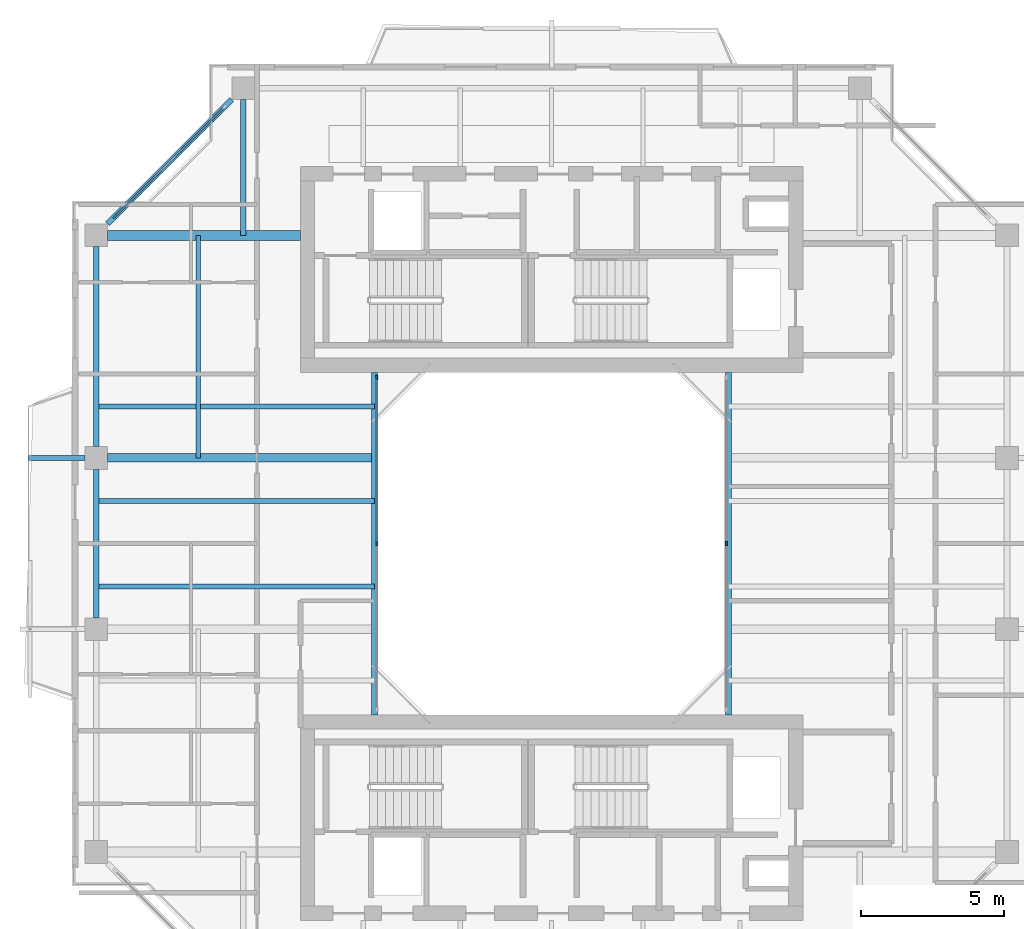
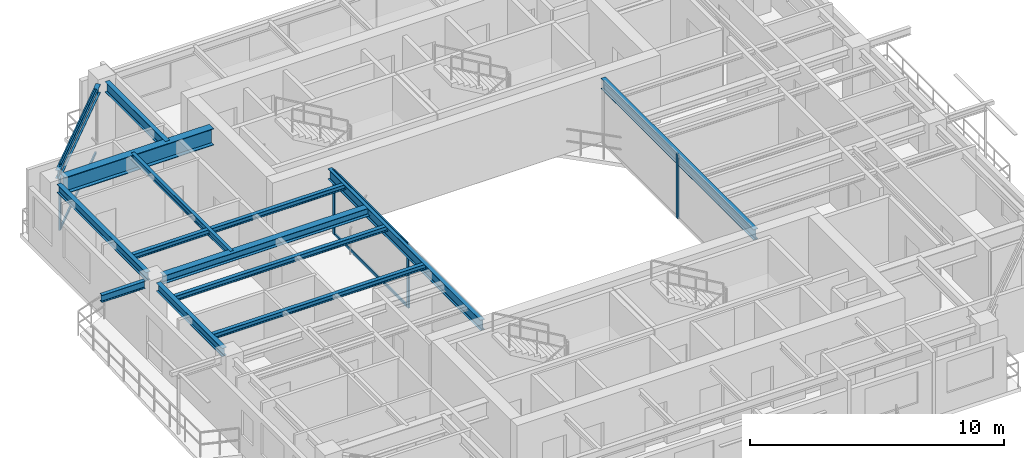
# One storey, part 5 of 16: 13 beams, 8 members, 3 elements without a shape of their own.
"""IFC4 building model written with IfcOpenShell, lengths in metres."""

from ifc_helpers import new_model, si_unit, direction, frame, origin, origin_2d, place, context, subcontext, project, spatial, rectangle, i_section, extrude, source, transform, mapped, material, layer, layer_set, material_profile, profile_set, type_object, element, aggregate, save


model = new_model("IFC4")

# Units and contexts
model_context = context("Model", 3, precision=1e-05, world=origin(), true_north=direction((0.0, 1.0)))
body_context = subcontext(model_context, "Body", "Model", "MODEL_VIEW")
ifc_project = project(units=[si_unit("LENGTHUNIT", "METRE"), si_unit("AREAUNIT", "SQUARE_METRE"), si_unit("VOLUMEUNIT", "CUBIC_METRE"), si_unit("PLANEANGLEUNIT", "RADIAN"), si_unit("MASSUNIT", "GRAM", prefix="KILO"), si_unit("THERMODYNAMICTEMPERATUREUNIT", "KELVIN"), si_unit("POWERUNIT", "WATT")], contexts=[model_context])

# Site, building, storey
site_placement = place(None, origin())
site = spatial("IfcSite", under=ifc_project, at=site_placement, CompositionType="ELEMENT")
building_placement = place(site_placement, origin())
building = spatial("IfcBuilding", under=site, at=building_placement, Name="Qiaomeng Ring Towers", CompositionType="ELEMENT")
storey_placement = place(building_placement, frame((0.0, 0.0, 210.0)))
storey = spatial("IfcBuildingStorey", under=building, at=storey_placement, Name="L61", CompositionType="ELEMENT", Elevation=210.0)

# Beams
ifc_material_1 = material(Name="Steel Q355B", Category="steel")
ifc_material_profile_1 = material_profile(ifc_material_1, i_section(OverallWidth=0.199951171875, OverallDepth=0.5, WebThickness=0.010009765625, FlangeThickness=0.01611328125, FilletRadius=0.02001953125, at=origin_2d()), Name="HN 500x200x10x16")
ifc_profile_set_1 = profile_set([ifc_material_profile_1], Name="Steel Q355B")
beam_type_1 = type_object("IfcBeamType", Name="STR-BM-HN500", PredefinedType="BEAM", material=ifc_profile_set_1)
shared_shape_1 = source(origin(), body_context, "Body", "SweptSolid", [
    extrude(i_section(OverallWidth=0.199951171875, OverallDepth=0.5, WebThickness=0.010009765625, FlangeThickness=0.01611328125, FilletRadius=0.02001953125, at=origin_2d()), origin(), (0.0, 0.0, 1.0), 12.0),
])
for number, where, z_axis, x_axis, name in (
    (1, (12.800048828125, 17.0, 2.820068359375), (0.0, 1.0, 0.0), (-1.0, 0.0, 0.0), "L61 beam STR-BM-L61-WELL-W"),
    (2, (25.199951171875, 17.0, 2.820068359375), (0.0, 1.0, 0.0), (-1.0, 0.0, 0.0), "L61 beam STR-BM-L61-WELL-E"),
):
    element("IfcBeam", number, at=place(storey_placement, frame(where, z_axis=z_axis, x_axis=x_axis)), inside=storey, type_object=beam_type_1, Name=name, PredefinedType="BEAM", context=body_context, shape_type="MappedRepresentation", body=[
        mapped(shared_shape_1, transform((0.0, 0.0, 0.0), x_axis=(1.0, 0.0, 0.0), y_axis=(0.0, 1.0, 0.0), z_axis=(0.0, 0.0, 1.0), scale=1.0)),
    ])
ifc_material_profile_2 = material_profile(ifc_material_1, i_section(OverallWidth=0.198974609375, OverallDepth=0.39599609375, WebThickness=0.007080078125, FlangeThickness=0.010986328125, FilletRadius=0.01611328125, at=origin_2d()), Name="HN 396x199x7x11")
ifc_profile_set_2 = profile_set([ifc_material_profile_2], Name="Steel Q355B")
beam_type_2 = type_object("IfcBeamType", Name="STR-BM-HN396", PredefinedType="SPANDREL", material=ifc_profile_set_2)
shared_shape_2 = source(origin(), body_context, "Body", "SweptSolid", [
    extrude(i_section(OverallWidth=0.198974609375, OverallDepth=0.39599609375, WebThickness=0.007080078125, FlangeThickness=0.010986328125, FilletRadius=0.01611328125, at=origin_2d()), origin(), (0.0, 0.0, 1.0), 6.154052734375),
])
beam_1_placement = place(storey_placement, frame((7.80078125, 38.55078125, 2.8720703125), z_axis=(-0.707106781187, -0.707106781187, 0.0), x_axis=(0.707106781187, -0.707106781187, 0.0)))
element("IfcBeam", 3, at=beam_1_placement, inside=storey, type_object=beam_type_2, Name="L61 beam STR-SP-L61-T1-N1-W4", PredefinedType="SPANDREL", context=body_context, shape_type="MappedRepresentation", body=[
    mapped(shared_shape_2, transform((0.0, 0.0, 0.0), x_axis=(1.0, 0.0, 0.0), y_axis=(0.0, 1.0, 0.0), z_axis=(0.0, 0.0, 1.0), scale=1.0)),
])
shared_shape_3 = source(origin(), body_context, "Body", "SweptSolid", [
    extrude(i_section(OverallWidth=0.198974609375, OverallDepth=0.39599609375, WebThickness=0.007080078125, FlangeThickness=0.010986328125, FilletRadius=0.01611328125, at=origin_2d()), origin(), (0.0, 0.0, 1.0), 7.001953125),
])
beam_2_placement = place(storey_placement, frame((3.050048828125, 33.40087890625, 2.8720703125), z_axis=(0.0, -1.0, 0.0), x_axis=(1.0, 0.0, 0.0)))
element("IfcBeam", 4, at=beam_2_placement, inside=storey, type_object=beam_type_2, Name="L61 beam STR-SP-L61-T1-W4-W3", PredefinedType="SPANDREL", context=body_context, shape_type="MappedRepresentation", body=[
    mapped(shared_shape_3, transform((0.0, 0.0, 0.0), x_axis=(1.0, 0.0, 0.0), y_axis=(0.0, 1.0, 0.0), z_axis=(0.0, 0.0, 1.0), scale=1.0)),
])
shared_shape_4 = source(origin(), body_context, "Body", "SweptSolid", [
    extrude(i_section(OverallWidth=0.198974609375, OverallDepth=0.39599609375, WebThickness=0.007080078125, FlangeThickness=0.010986328125, FilletRadius=0.01611328125, at=origin_2d()), origin(), (0.0, 0.0, 1.0), 5.2021484375),
])
beam_3_placement = place(storey_placement, frame((3.050048828125, 25.60107421875, 2.8720703125), z_axis=(0.0, -1.0, 0.0), x_axis=(1.0, 0.0, 0.0)))
element("IfcBeam", 5, at=beam_3_placement, inside=storey, type_object=beam_type_2, Name="L61 beam STR-SP-L61-T1-W3-W2", PredefinedType="SPANDREL", context=body_context, shape_type="MappedRepresentation", body=[
    mapped(shared_shape_4, transform((0.0, 0.0, 0.0), x_axis=(1.0, 0.0, 0.0), y_axis=(0.0, 1.0, 0.0), z_axis=(0.0, 0.0, 1.0), scale=1.0)),
])
ifc_material_2 = material(Name="Steel Q390GJC", Category="steel")
ifc_material_profile_3 = material_profile(ifc_material_2, i_section(OverallWidth=0.35009765625, OverallDepth=0.800048828125, WebThickness=0.01611328125, FlangeThickness=0.028076171875, at=origin_2d()), Name="WH 800x350x16x28")
ifc_profile_set_3 = profile_set([ifc_material_profile_3], Name="Steel Q390GJC")
beam_type_3 = type_object("IfcBeamType", Name="STR-BM-WH800", PredefinedType="BEAM", material=ifc_profile_set_3)
shared_shape_5 = source(origin(), body_context, "Body", "SweptSolid", [
    extrude(i_section(OverallWidth=0.35009765625, OverallDepth=0.800048828125, WebThickness=0.01611328125, FlangeThickness=0.028076171875, at=origin_2d()), origin(), (0.0, 0.0, 1.0), 6.7509765625),
])
beam_4_placement = place(storey_placement, frame((3.448974609375, 33.800048828125, 2.669921875), z_axis=(1.0, 0.0, 0.0), x_axis=(0.0, 1.0, 0.0)))
element("IfcBeam", 6, at=beam_4_placement, inside=storey, type_object=beam_type_3, Name="L61 beam STR-BM-L61-T1-RAD-W4", PredefinedType="BEAM", context=body_context, shape_type="MappedRepresentation", body=[
    mapped(shared_shape_5, transform((0.0, 0.0, 0.0), x_axis=(1.0, 0.0, 0.0), y_axis=(0.0, 1.0, 0.0), z_axis=(0.0, 0.0, 1.0), scale=1.0)),
])
ifc_material_profile_4 = material_profile(ifc_material_1, i_section(OverallWidth=0.300048828125, OverallDepth=0.389892578125, WebThickness=0.010009765625, FlangeThickness=0.01611328125, FilletRadius=0.02197265625, at=origin_2d()), Name="HM 390x300x10x16")
ifc_profile_set_4 = profile_set([ifc_material_profile_4], Name="Steel Q355B")
beam_type_4 = type_object("IfcBeamType", Name="STR-BM-HM390", PredefinedType="BEAM", material=ifc_profile_set_4)
shared_shape_6 = source(origin(), body_context, "Body", "SweptSolid", [
    extrude(i_section(OverallWidth=0.300048828125, OverallDepth=0.389892578125, WebThickness=0.010009765625, FlangeThickness=0.01611328125, FilletRadius=0.02197265625, at=origin_2d()), origin(), (0.0, 0.0, 1.0), 9.35107421875),
])
beam_5_placement = place(storey_placement, frame((3.448974609375, 26.0, 2.875), z_axis=(1.0, 0.0, 0.0), x_axis=(0.0, 1.0, 0.0)))
element("IfcBeam", 7, at=beam_5_placement, inside=storey, type_object=beam_type_4, Name="L61 beam STR-BM-L61-T1-RAD-W3", PredefinedType="BEAM", context=body_context, shape_type="MappedRepresentation", body=[
    mapped(shared_shape_6, transform((0.0, 0.0, 0.0), x_axis=(1.0, 0.0, 0.0), y_axis=(0.0, 1.0, 0.0), z_axis=(0.0, 0.0, 1.0), scale=1.0)),
])
ifc_material_profile_5 = material_profile(ifc_material_1, i_section(OverallWidth=0.175048828125, OverallDepth=0.243896484375, WebThickness=0.007080078125, FlangeThickness=0.010986328125, FilletRadius=0.01611328125, at=origin_2d()), Name="HM 244x175x7x11")
ifc_profile_set_5 = profile_set([ifc_material_profile_5], Name="Steel Q355B")
beam_type_5 = type_object("IfcBeamType", Name="STR-BM-HM244", PredefinedType="JOIST", material=ifc_profile_set_5)
shared_shape_7 = source(origin(), body_context, "Body", "SweptSolid", [
    extrude(i_section(OverallWidth=0.175048828125, OverallDepth=0.243896484375, WebThickness=0.007080078125, FlangeThickness=0.010986328125, FilletRadius=0.01611328125, at=origin_2d()), origin(), (0.0, 0.0, 1.0), 9.75),
])
for number, where, z_axis, x_axis, name in (
    (8, (3.050048828125, 21.5, 2.947998046875), (1.0, 0.0, 0.0), (0.0, 1.0, 0.0), "L61 beam STR-JST-L61-T1W-2"),
    (9, (3.050048828125, 24.5, 2.947998046875), (1.0, 0.0, 0.0), (0.0, 1.0, 0.0), "L61 beam STR-JST-L61-T1W-3"),
    (10, (3.050048828125, 27.800048828125, 2.947998046875), (1.0, 0.0, 0.0), (0.0, 1.0, 0.0), "L61 beam STR-JST-L61-T1W-4"),
):
    element("IfcBeam", number, at=place(storey_placement, frame(where, z_axis=z_axis, x_axis=x_axis)), inside=storey, type_object=beam_type_5, Name=name, PredefinedType="JOIST", context=body_context, shape_type="MappedRepresentation", body=[
        mapped(shared_shape_7, transform((0.0, 0.0, 0.0), x_axis=(1.0, 0.0, 0.0), y_axis=(0.0, 1.0, 0.0), z_axis=(0.0, 0.0, 1.0), scale=1.0)),
    ])
ifc_material_profile_6 = material_profile(ifc_material_1, i_section(OverallWidth=0.14990234375, OverallDepth=0.300048828125, WebThickness=0.006591796875, FlangeThickness=0.009033203125, FilletRadius=0.012939453125, at=origin_2d()), Name="HN 300x150x6.5x9")
ifc_profile_set_6 = profile_set([ifc_material_profile_6], Name="Steel Q355B")
beam_type_6 = type_object("IfcBeamType", Name="STR-BM-HN300", PredefinedType="JOIST", material=ifc_profile_set_6)
shared_shape_8 = source(origin(), body_context, "Body", "SweptSolid", [
    extrude(i_section(OverallWidth=0.14990234375, OverallDepth=0.300048828125, WebThickness=0.006591796875, FlangeThickness=0.009033203125, FilletRadius=0.012939453125, at=origin_2d()), origin(), (0.0, 0.0, 1.0), 7.800048828125),
])
beam_6_placement = place(storey_placement, frame((6.625, 26.0, 2.919921875), z_axis=(0.0, 1.0, 0.0), x_axis=(-1.0, 0.0, 0.0)))
element("IfcBeam", 11, at=beam_6_placement, inside=storey, type_object=beam_type_6, Name="L61 beam STR-JST-L61-T1C-WN", PredefinedType="JOIST", context=body_context, shape_type="MappedRepresentation", body=[
    mapped(shared_shape_8, transform((0.0, 0.0, 0.0), x_axis=(1.0, 0.0, 0.0), y_axis=(0.0, 1.0, 0.0), z_axis=(0.0, 0.0, 1.0), scale=1.0)),
])
ifc_material_profile_7 = material_profile(ifc_material_1, i_section(OverallWidth=0.175048828125, OverallDepth=0.35009765625, WebThickness=0.007080078125, FlangeThickness=0.010986328125, FilletRadius=0.013916015625, at=origin_2d()), Name="HN 350x175x7x11")
ifc_profile_set_7 = profile_set([ifc_material_profile_7], Name="Steel Q355B")
beam_type_7 = type_object("IfcBeamType", Name="STR-BM-HN350", PredefinedType="JOIST", material=ifc_profile_set_7)
shared_shape_9 = source(origin(), body_context, "Body", "SweptSolid", [
    extrude(i_section(OverallWidth=0.175048828125, OverallDepth=0.35009765625, WebThickness=0.007080078125, FlangeThickness=0.010986328125, FilletRadius=0.013916015625, at=origin_2d()), origin(), (0.0, 0.0, 1.0), 1.970947265625),
])
beam_7_placement = place(storey_placement, frame((0.679931640625, 26.0, 2.89501953125), z_axis=(1.0, 0.0, 0.0), x_axis=(0.0, 1.0, 0.0)))
element("IfcBeam", 12, at=beam_7_placement, inside=storey, type_object=beam_type_7, Name="L61 beam STR-BALBM-L61-W3", PredefinedType="JOIST", context=body_context, shape_type="MappedRepresentation", body=[
    mapped(shared_shape_9, transform((0.0, 0.0, 0.0), x_axis=(1.0, 0.0, 0.0), y_axis=(0.0, 1.0, 0.0), z_axis=(0.0, 0.0, 1.0), scale=1.0)),
])
ifc_material_profile_8 = material_profile(ifc_material_1, i_section(OverallWidth=0.198974609375, OverallDepth=0.49609375, WebThickness=0.009033203125, FlangeThickness=0.013916015625, FilletRadius=0.01806640625, at=origin_2d()), Name="HN 496x199x9x14")
ifc_profile_set_8 = profile_set([ifc_material_profile_8], Name="Steel Q355B")
beam_type_8 = type_object("IfcBeamType", Name="STR-BM-HN496", PredefinedType="BEAM", material=ifc_profile_set_8)
shared_shape_10 = source(origin(), body_context, "Body", "SweptSolid", [
    extrude(i_section(OverallWidth=0.198974609375, OverallDepth=0.49609375, WebThickness=0.009033203125, FlangeThickness=0.013916015625, FilletRadius=0.01806640625, at=origin_2d()), origin(), (0.0, 0.0, 1.0), 4.7509765625),
])
beam_8_placement = place(storey_placement, frame((8.199951171875, 38.551025390625, 2.822021484375), z_axis=(0.0, -1.0, 0.0), x_axis=(1.0, 0.0, 0.0)))
element("IfcBeam", 13, at=beam_8_placement, inside=storey, type_object=beam_type_8, Name="L61 beam STR-BM-L61-T1-RAD-N1", PredefinedType="BEAM", context=body_context, shape_type="MappedRepresentation", body=[
    mapped(shared_shape_10, transform((0.0, 0.0, 0.0), x_axis=(1.0, 0.0, 0.0), y_axis=(0.0, 1.0, 0.0), z_axis=(0.0, 0.0, 1.0), scale=1.0)),
])

# Curtain wall, members
ifc_material_3 = material(Name="Fluorocarbon dark-grey aluminium", Category="aluminium")
ifc_layer_1 = layer(ifc_material_3, 0.139892578125, Name="Fluorocarbon dark-grey aluminium")
ifc_layer_set_1 = layer_set([ifc_layer_1], Name="Fluorocarbon dark-grey aluminium")
curtain_wall_type_1 = type_object("IfcCurtainWallType", Name="ARC-CW-4", PredefinedType="NOTDEFINED", material=ifc_layer_set_1)
curtain_wall_1_placement = place(storey_placement, origin())
curtain_wall_1 = element("IfcCurtainWall", 14, at=curtain_wall_1_placement, inside=storey, type_object=curtain_wall_type_1, Name="L61 Curtain Wall CW4", PredefinedType="NOTDEFINED")
ifc_material_profile_9 = material_profile(ifc_material_3, rectangle(XDim=0.06494140625, YDim=0.159912109375, at=origin_2d()), Name="ALU MULL 65x160")
ifc_profile_set_9 = profile_set([ifc_material_profile_9], Name="Fluorocarbon dark-grey aluminium")
member_type_1 = type_object("IfcMemberType", Name="ARC-CWM-140", PredefinedType="MULLION", material=ifc_profile_set_9)
shared_shape_11 = source(origin(), body_context, "Body", "SweptSolid", [
    extrude(rectangle(XDim=0.06494140625, YDim=0.159912109375, at=origin_2d()), origin(), (0.0, 0.0, 1.0), 3.070068359375),
])
member_1_placement = place(storey_placement, frame((12.8798828125, 23.0, 0.0), z_axis=(0.0, 0.0, 1.0), x_axis=(-1.0, 0.0, 0.0)))
member_1 = element("IfcMember", 15, at=member_1_placement, type_object=member_type_1, Name="CW4 mullion 2", PredefinedType="MULLION", context=body_context, shape_type="MappedRepresentation", body=[
    mapped(shared_shape_11, transform((0.0, 0.0, 0.0), x_axis=(1.0, 0.0, 0.0), y_axis=(0.0, 1.0, 0.0), z_axis=(0.0, 0.0, 1.0), scale=1.0)),
])
member_2_placement = place(storey_placement, frame((12.8798828125, 28.8173828125, 0.0), z_axis=(0.0, 0.0, 1.0), x_axis=(-1.0, 0.0, 0.0)))
member_2 = element("IfcMember", 16, at=member_2_placement, type_object=member_type_1, Name="CW4 mullion 3", PredefinedType="MULLION", context=body_context, shape_type="MappedRepresentation", body=[
    mapped(shared_shape_11, transform((0.0, 0.0, 0.0), x_axis=(1.0, 0.0, 0.0), y_axis=(0.0, 1.0, 0.0), z_axis=(0.0, 0.0, 1.0), scale=1.0)),
])

# Curtain wall, member
curtain_wall_2_placement = place(storey_placement, origin())
curtain_wall_2 = element("IfcCurtainWall", 17, at=curtain_wall_2_placement, inside=storey, type_object=curtain_wall_type_1, Name="L61 Curtain Wall CW4", PredefinedType="NOTDEFINED")
member_3_placement = place(storey_placement, frame((25.1201171875, 23.0, 0.0), z_axis=(0.0, 0.0, 1.0), x_axis=(-1.0, 0.0, 0.0)))
member_3 = element("IfcMember", 18, at=member_3_placement, type_object=member_type_1, Name="CW4 mullion 2", PredefinedType="MULLION", context=body_context, shape_type="MappedRepresentation", body=[
    mapped(shared_shape_11, transform((0.0, 0.0, 0.0), x_axis=(1.0, 0.0, 0.0), y_axis=(0.0, 1.0, 0.0), z_axis=(0.0, 0.0, 1.0), scale=1.0)),
])
aggregate(curtain_wall_2, [member_3])

# Member
ifc_material_profile_10 = material_profile(ifc_material_3, rectangle(XDim=0.06494140625, YDim=0.1298828125, at=origin_2d()), Name="ALU TRAN 65x130")
ifc_profile_set_10 = profile_set([ifc_material_profile_10], Name="Fluorocarbon dark-grey aluminium")
member_type_2 = type_object("IfcMemberType", Name="ARC-CWT-120", PredefinedType="USERDEFINED", material=ifc_profile_set_10)
shared_shape_12 = source(origin(), body_context, "Body", "SweptSolid", [
    extrude(rectangle(XDim=0.06494140625, YDim=0.1298828125, at=origin_2d()), origin(), (0.0, 0.0, 1.0), 5.75244140625),
])
member_4_placement = place(storey_placement, frame((12.8798828125, 23.032470703125, 0.032470703125), z_axis=(0.0, 1.0, 0.0), x_axis=(-1.0, 0.0, 0.0)))
member_4 = element("IfcMember", 19, at=member_4_placement, type_object=member_type_2, Name="CW4 transom 2.1", ObjectType="TRANSOM", PredefinedType="USERDEFINED", context=body_context, shape_type="MappedRepresentation", body=[
    mapped(shared_shape_12, transform((0.0, 0.0, 0.0), x_axis=(1.0, 0.0, 0.0), y_axis=(0.0, 1.0, 0.0), z_axis=(0.0, 0.0, 1.0), scale=1.0)),
])

member_5_placement = place(storey_placement, frame((12.8798828125, 23.032470703125, 3.03759765625), z_axis=(0.0, 1.0, 0.0), x_axis=(-1.0, 0.0, 0.0)))
member_5 = element("IfcMember", 20, at=member_5_placement, type_object=member_type_2, Name="CW4 transom 2.2", ObjectType="TRANSOM", PredefinedType="USERDEFINED", context=body_context, shape_type="MappedRepresentation", body=[
    mapped(shared_shape_12, transform((0.0, 0.0, 0.0), x_axis=(1.0, 0.0, 0.0), y_axis=(0.0, 1.0, 0.0), z_axis=(0.0, 0.0, 1.0), scale=1.0)),
])

aggregate(curtain_wall_1, [member_1, member_2, member_4, member_5])

# Curtain wall, members
ifc_layer_2 = layer(ifc_material_3, 0.14990234375, Name="Fluorocarbon dark-grey aluminium")
ifc_layer_set_2 = layer_set([ifc_layer_2], Name="Fluorocarbon dark-grey aluminium")
curtain_wall_type_2 = type_object("IfcCurtainWallType", Name="ARC-CW-3", PredefinedType="NOTDEFINED", material=ifc_layer_set_2)
curtain_wall_3_placement = place(storey_placement, origin())
curtain_wall_3 = element("IfcCurtainWall", 21, at=curtain_wall_3_placement, inside=storey, type_object=curtain_wall_type_2, Name="L61 Curtain Wall CW3", PredefinedType="NOTDEFINED")
ifc_material_profile_11 = material_profile(ifc_material_3, rectangle(XDim=0.070068359375, YDim=0.179931640625, at=origin_2d()), Name="ALU MULL 70x180")
ifc_profile_set_11 = profile_set([ifc_material_profile_11], Name="Fluorocarbon dark-grey aluminium")
member_type_3 = type_object("IfcMemberType", Name="ARC-CWM-160", PredefinedType="MULLION", material=ifc_profile_set_11)
shared_shape_13 = source(origin(), body_context, "Body", "SweptSolid", [
    extrude(rectangle(XDim=0.070068359375, YDim=0.179931640625, at=origin_2d()), origin(), (0.0, 0.0, 1.0), 3.070068359375),
])
member_6_placement = place(storey_placement, frame((3.71484375, 34.46484375, 0.0), z_axis=(0.0, 0.0, 1.0), x_axis=(0.707106781187, -0.707106781187, 0.0)))
member_6 = element("IfcMember", 22, at=member_6_placement, type_object=member_type_3, Name="CW3 mullion 2", PredefinedType="MULLION", context=body_context, shape_type="MappedRepresentation", body=[
    mapped(shared_shape_13, transform((0.0, 0.0, 0.0), x_axis=(1.0, 0.0, 0.0), y_axis=(0.0, 1.0, 0.0), z_axis=(0.0, 0.0, 1.0), scale=1.0)),
])
shared_shape_14 = source(origin(), body_context, "Body", "SweptSolid", [
    extrude(rectangle(XDim=0.06494140625, YDim=0.1298828125, at=origin_2d()), origin(), (0.0, 0.0, 1.0), 5.3330078125),
])
member_7_placement = place(storey_placement, frame((7.510498046875, 38.260498046875, 0.032470703125), z_axis=(-0.707106781187, -0.707106781187, 0.0), x_axis=(0.707106781187, -0.707106781187, 0.0)))
member_7 = element("IfcMember", 23, at=member_7_placement, type_object=member_type_2, Name="CW3 transom 1.1", ObjectType="TRANSOM", PredefinedType="USERDEFINED", context=body_context, shape_type="MappedRepresentation", body=[
    mapped(shared_shape_14, transform((0.0, 0.0, 0.0), x_axis=(1.0, 0.0, 0.0), y_axis=(0.0, 1.0, 0.0), z_axis=(0.0, 0.0, 1.0), scale=1.0)),
])
member_8_placement = place(storey_placement, frame((7.510498046875, 38.260498046875, 3.03759765625), z_axis=(-0.707106781187, -0.707106781187, 0.0), x_axis=(0.707106781187, -0.707106781187, 0.0)))
member_8 = element("IfcMember", 24, at=member_8_placement, type_object=member_type_2, Name="CW3 transom 1.2", ObjectType="TRANSOM", PredefinedType="USERDEFINED", context=body_context, shape_type="MappedRepresentation", body=[
    mapped(shared_shape_14, transform((0.0, 0.0, 0.0), x_axis=(1.0, 0.0, 0.0), y_axis=(0.0, 1.0, 0.0), z_axis=(0.0, 0.0, 1.0), scale=1.0)),
])
aggregate(curtain_wall_3, [member_6, member_7, member_8])

save(model, "model.ifc")
